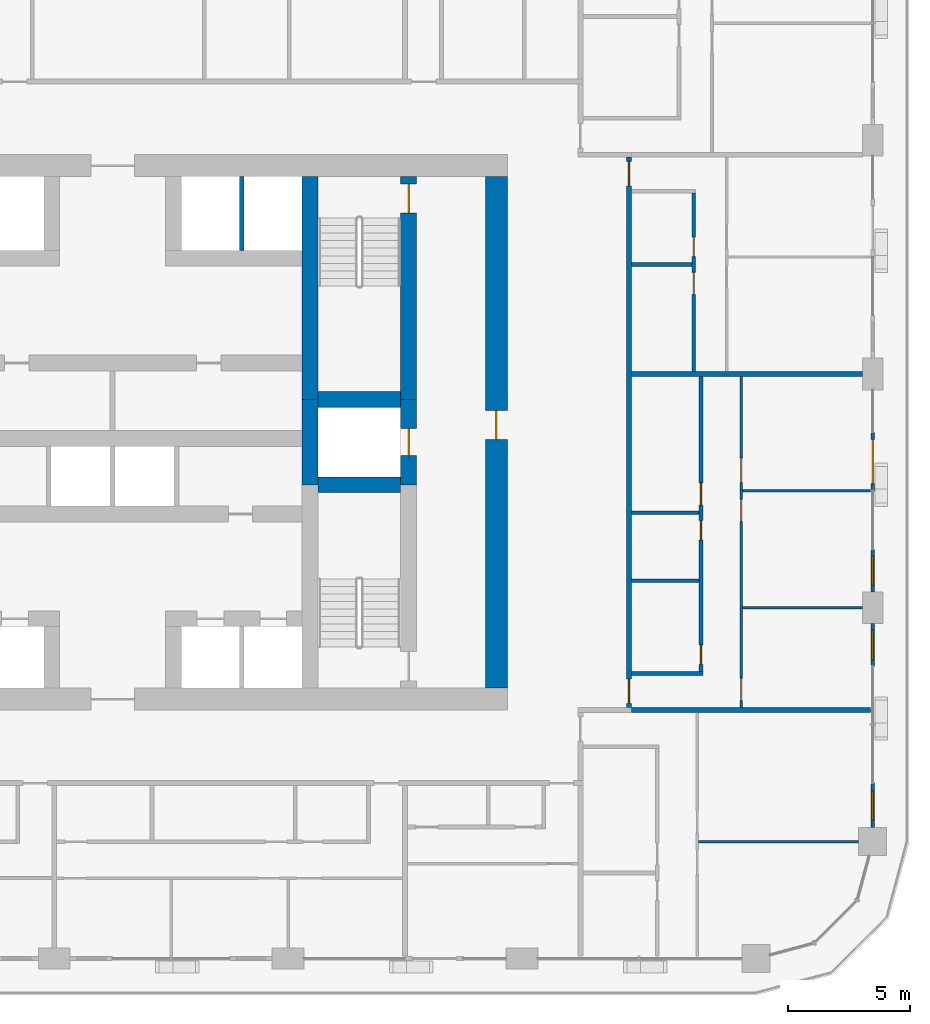
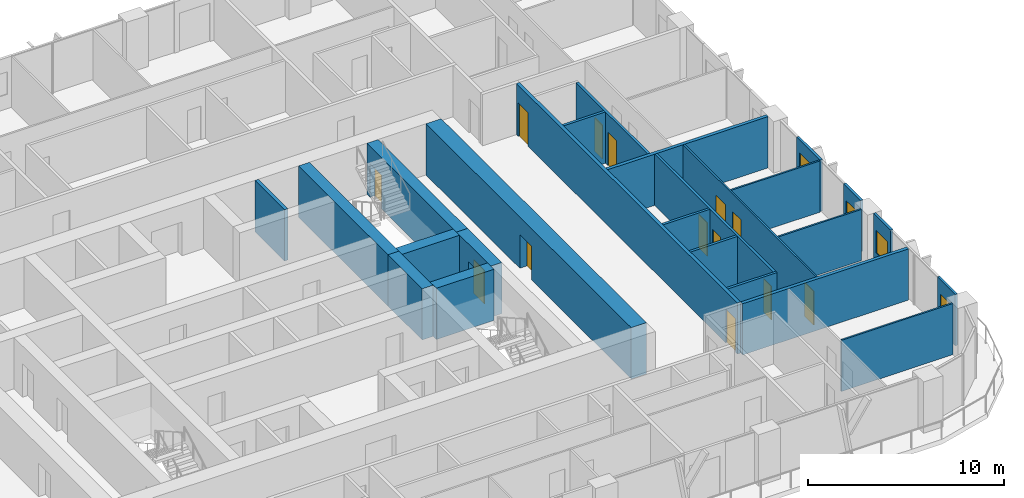
# One storey, part 12 of 21: 25 walls, 14 doors, 3 windows, 17 openings.
"""IFC4 building model written with IfcOpenShell, lengths in metres."""

import ifcopenshell
import ifcopenshell.guid

model = None  # the IFC model being written
_history = None  # IfcOwnerHistory: only IFC2X3 demands one
_inside = {}  # id of a spatial element -> (the spatial element, [elements in it])
_under = {}  # id of a project, library or spatial element -> (it, [spatial elements below it])
_declared = {}  # id of a project -> (the project, [libraries it declares])
_typed = {}  # id of a type object -> (the type object, [elements of that type])
_made_of = {}  # id of a material, layer set ... -> (it, [elements and type objects made of it])


def new_model(schema):
    """Start an empty IFC model of exactly this schema.

    Asked for "IFC4X3", IfcOpenShell would pick the latest addendum, in which some entities
    have other attributes; the version numbers below select the first issue.
    IFC2X3 requires an IfcOwnerHistory on every rooted entity: one is made here for all.
    """
    global model, _history
    if schema == "IFC4X3":
        model = ifcopenshell.file(schema_version=(4, 3, 0, 0))
    else:
        model = ifcopenshell.file(schema=schema)
    _inside.clear()
    _under.clear()
    _declared.clear()
    _typed.clear()
    _made_of.clear()
    _history = None
    if model.schema == "IFC2X3":
        org = make("IfcOrganization", Name="unknown")
        user = make(
            "IfcPersonAndOrganization",
            ThePerson=make("IfcPerson", FamilyName="unknown"),
            TheOrganization=org,
        )
        app = make(
            "IfcApplication",
            ApplicationDeveloper=org,
            Version="unknown",
            ApplicationFullName="unknown",
            ApplicationIdentifier="unknown",
        )
        _history = make(
            "IfcOwnerHistory",
            OwningUser=user,
            OwningApplication=app,
            ChangeAction="ADDED",
            CreationDate=0,
        )
    return model


def make(cls, **values):
    """One entity of the class cls with the attributes given. An attribute that is None is left unset."""
    return model.create_entity(
        cls, **{name: value for name, value in values.items() if value is not None}
    )


def rooted(cls, **values):
    """An entity with a GlobalId (a new one), such as an element, a storey or a relation."""
    return make(cls, GlobalId=ifcopenshell.guid.new(), OwnerHistory=_history, **values)


def si_unit(unit_type, name, prefix=None):
    """IfcSIUnit, for example si_unit("LENGTHUNIT", "METRE", prefix="MILLI")."""
    return make("IfcSIUnit", UnitType=unit_type, Prefix=prefix, Name=name)


def assignment(units):
    """IfcUnitAssignment: the units of a project."""
    return None if units is None else make("IfcUnitAssignment", Units=units)


def point(xyz):
    """IfcCartesianPoint."""
    return None if xyz is None else make("IfcCartesianPoint", Coordinates=xyz)


def direction(xyz):
    """IfcDirection."""
    return None if xyz is None else make("IfcDirection", DirectionRatios=xyz)


def frame(location, z_axis=None, x_axis=None):
    """IfcAxis2Placement3D, a coordinate frame: its origin and axes. An axis left out is left unset."""
    return make(
        "IfcAxis2Placement3D",
        Location=point(location),
        Axis=direction(z_axis),
        RefDirection=direction(x_axis),
    )


def frame_2d(location, x_axis=None):
    """IfcAxis2Placement2D, a coordinate frame in the plane: its origin and x axis."""
    return make(
        "IfcAxis2Placement2D", Location=point(location), RefDirection=direction(x_axis)
    )


def origin():
    """The frame at (0, 0, 0) with its axes left unset."""
    return frame((0.0, 0.0, 0.0))


def place(relative_to, where):
    """IfcLocalPlacement: puts the frame where relative to a parent placement (None: the world)."""
    return make(
        "IfcLocalPlacement", PlacementRelTo=relative_to, RelativePlacement=where
    )


def context(
    kind, dimensions, precision=None, world=None, true_north=None, identifier=None
):
    """IfcGeometricRepresentationContext, for example the 3D "Model" context."""
    return make(
        "IfcGeometricRepresentationContext",
        ContextIdentifier=identifier,
        ContextType=kind,
        CoordinateSpaceDimension=dimensions,
        Precision=precision,
        WorldCoordinateSystem=world,
        TrueNorth=true_north,
    )


def subcontext(parent, identifier, kind, view, scale=None):
    """IfcGeometricRepresentationSubContext, for example "Body" below "Model"."""
    return make(
        "IfcGeometricRepresentationSubContext",
        ContextIdentifier=identifier,
        ContextType=kind,
        ParentContext=parent,
        TargetScale=scale,
        TargetView=view,
    )


def project(units=None, contexts=None):
    """IfcProject with its units and contexts."""
    return rooted(
        "IfcProject",
        Name="project",
        RepresentationContexts=contexts,
        UnitsInContext=assignment(units),
    )


def spatial(cls, under=None, at=None, **own):
    """A site, building, storey or space (cls), placed at a placement, below another one or the project."""
    s = rooted(cls, ObjectPlacement=at, **own)
    if under is not None:
        _under.setdefault(under.id(), (under, []))[1].append(s)
    return s


def profile(cls, at=None, kind="AREA", **sizes):
    """A parametric profile (cls). Its sizes go by their IFC names, for example OverallWidth=200.0."""
    return make(cls, ProfileType=kind, Position=at, **sizes)


def rectangle(**sizes):
    """IfcRectangleProfileDef."""
    return profile("IfcRectangleProfileDef", **sizes)


def extrude(swept, where, along, depth):
    """IfcExtrudedAreaSolid: the profile swept, set in the frame where, extruded along a direction by depth."""
    return make(
        "IfcExtrudedAreaSolid",
        SweptArea=swept,
        Position=where,
        ExtrudedDirection=direction(along),
        Depth=depth,
    )


def shape(context_of_items, identifier, shape_type, items):
    """IfcShapeRepresentation: the items that make up one representation, for example the "Body"."""
    return make(
        "IfcShapeRepresentation",
        ContextOfItems=context_of_items,
        RepresentationIdentifier=identifier,
        RepresentationType=shape_type,
        Items=items,
    )


def material(Name=None, Category=None):
    """IfcMaterial."""
    return make("IfcMaterial", Name=Name, Category=Category)


def layer(
    of_material, thickness, ventilated=None, Name=None, Category=None, Priority=None
):
    """IfcMaterialLayer: one layer of a wall or slab, of a material (None: an air gap)."""
    return make(
        "IfcMaterialLayer",
        Material=of_material,
        LayerThickness=thickness,
        IsVentilated=ventilated,
        Name=Name,
        Category=Category,
        Priority=Priority,
    )


def layer_set(layers, Name=None):
    """IfcMaterialLayerSet."""
    return make("IfcMaterialLayerSet", MaterialLayers=layers, LayerSetName=Name)


def made_of(thing, what):
    """Note that an element or type object is made of a material, layer set ...; save() writes the relation."""
    if what is not None:
        _made_of.setdefault(what.id(), (what, []))[1].append(thing)
    return thing


def type_object(cls, material=None, **own):
    """A type object (cls), such as IfcWallType, which elements share."""
    return made_of(rooted(cls, **own), material)


def element(
    cls,
    number,
    at=None,
    inside=None,
    cuts=None,
    type_object=None,
    material=None,
    context=None,
    identifier="Body",
    shape_type=None,
    held_by="IfcProductDefinitionShape",
    body=None,
    shapes=None,
    **own,
):
    """One element of the class cls, such as IfcWall. Its Tag is "e" and its number.

    at: its placement. inside: the storey or other place that contains it. cuts: it is an
    opening in that element (IfcRelVoidsElement). A single representation is given by context,
    identifier, shape_type and body (its items); several are given by shapes. held_by: the class
    of the entity that holds the representations. save() writes the other relations.
    """
    e = rooted(cls, Tag="e%d" % number, ObjectPlacement=at, **own)
    if body is not None:
        shapes = [shape(context, identifier, shape_type, body)]
    if shapes is not None:
        e.Representation = make(held_by, Representations=shapes)
    if inside is not None:
        _inside.setdefault(inside.id(), (inside, []))[1].append(e)
    if cuts is not None:
        rooted(
            "IfcRelVoidsElement", RelatingBuildingElement=cuts, RelatedOpeningElement=e
        )
    if type_object is not None:
        _typed.setdefault(type_object.id(), (type_object, []))[1].append(e)
    return made_of(e, material)


def fill(opening, filler):
    """IfcRelFillsElement: the door or window that sits in an opening."""
    return rooted(
        "IfcRelFillsElement",
        RelatingOpeningElement=opening,
        RelatedBuildingElement=filler,
    )


def aggregate(whole, parts):
    """IfcRelAggregates: a whole, such as a stair, and the parts it consists of."""
    return rooted("IfcRelAggregates", RelatingObject=whole, RelatedObjects=parts)


def save(model, path):
    """Write the relations noted so far, then the file.

    IfcRelAggregates (storeys below a building ...), IfcRelContainedInSpatialStructure (elements
    in a storey), IfcRelDefinesByType, IfcRelAssociatesMaterial and IfcRelDeclares: one each for
    every whole, place, type object, material and project.
    """
    for whole, parts in _under.values():
        aggregate(whole, parts)
    for where, things in _inside.values():
        rooted(
            "IfcRelContainedInSpatialStructure",
            RelatedElements=things,
            RelatingStructure=where,
        )
    for kind, things in _typed.values():
        rooted("IfcRelDefinesByType", RelatedObjects=things, RelatingType=kind)
    for what, things in _made_of.values():
        rooted("IfcRelAssociatesMaterial", RelatedObjects=things, RelatingMaterial=what)
    for by, libraries in _declared.values():
        rooted("IfcRelDeclares", RelatingContext=by, RelatedDefinitions=libraries)
    model.write(path)


model = new_model("IFC4")

# Units and contexts
model_context = context("Model", 3, precision=1e-05, world=origin(), true_north=direction((0.0, 1.0)))
body_context = subcontext(model_context, "Body", "Model", "MODEL_VIEW")
ifc_project = project(units=[si_unit("LENGTHUNIT", "METRE"), si_unit("AREAUNIT", "SQUARE_METRE"), si_unit("VOLUMEUNIT", "CUBIC_METRE"), si_unit("PLANEANGLEUNIT", "RADIAN"), si_unit("MASSUNIT", "GRAM", prefix="KILO")], contexts=[model_context])

# Site, building, storey
site_placement = place(None, origin())
site = spatial("IfcSite", under=ifc_project, at=site_placement, CompositionType="ELEMENT")
building_placement = place(site_placement, origin())
building = spatial("IfcBuilding", under=site, at=building_placement, Name="Madar Terraces", CompositionType="ELEMENT")
storey_placement = place(building_placement, frame((0.0, 0.0, 96.199951171875)))
storey = spatial("IfcBuildingStorey", under=building, at=storey_placement, Name="L24", CompositionType="ELEMENT", Elevation=96.199951171875)

# Walls
ifc_material_1 = material(Name="Concrete C80/95", Category="concrete")
ifc_layer_1 = layer(ifc_material_1, 0.64990234375)
ifc_layer_set_1 = layer_set([ifc_layer_1], Name="Concrete C80/95 (CIW2 RC wall 650)")
wall_type_1 = type_object("IfcWallType", Name="CIW2 RC wall 650", PredefinedType="SHEAR", material=ifc_layer_set_1)
wall_1_placement = place(storey_placement, frame((39.300048828125, 24.25, 0.0), z_axis=(0.0, 0.0, 1.0), x_axis=(0.0, 1.0, 0.0)))
element("IfcWall", 1, at=wall_1_placement, inside=storey, type_object=wall_type_1, Name="CORE SHAFT WALL", PredefinedType="SHEAR", context=body_context, shape_type="SweptSolid", body=[
    extrude(rectangle(XDim=3.5, YDim=0.64990234375, at=frame_2d((1.75, 0.0))), origin(), (0.0, 0.0, 1.0), 3.199951171875),
])
wall_2_placement = place(storey_placement, frame((39.300048828125, 27.75, 0.0), z_axis=(0.0, 0.0, 1.0), x_axis=(0.0, 1.0, 0.0)))
element("IfcWall", 2, at=wall_2_placement, inside=storey, type_object=wall_type_1, Name="CORE SHAFT WALL", PredefinedType="SHEAR", context=body_context, shape_type="SweptSolid", body=[
    extrude(rectangle(XDim=9.14990234375, YDim=0.64990234375, at=frame_2d((4.574951171875, 0.0))), origin(), (0.0, 0.0, 1.0), 3.199951171875),
])

# Wall, opening, door
wall_3_placement = place(storey_placement, frame((43.35009765625, 24.25, 0.0), z_axis=(0.0, 0.0, 1.0), x_axis=(0.0, 1.0, 0.0)))
wall_3 = element("IfcWall", 3, at=wall_3_placement, inside=storey, type_object=wall_type_1, Name="CORE SHAFT WALL", PredefinedType="SHEAR", context=body_context, shape_type="SweptSolid", body=[
    extrude(rectangle(XDim=3.5, YDim=0.64990234375, at=frame_2d((1.75, 0.0))), origin(), (0.0, 0.0, 1.0), 3.199951171875),
])
opening_1_placement = place(wall_3_placement, frame((1.199951171875, 0.0, 0.0)))
opening_1 = element("IfcOpeningElement", 4, at=opening_1_placement, cuts=wall_3, Name="Opening LD", PredefinedType="OPENING", context=body_context, shape_type="SweptSolid", body=[
    extrude(rectangle(XDim=1.10009765625, YDim=2.10009765625, at=frame_2d((0.550048828125, 1.050048828125))), frame((0.0, 0.3349609375, 0.0), z_axis=(0.0, -1.0, 0.0), x_axis=(1.0, 0.0, 0.0)), (0.0, 0.0, 1.0), 0.669921875),
])
ifc_material_2 = material(Name="Stainless steel panel", Category="steel")
door_type_1 = type_object("IfcDoorType", Name="Lift landing door 1100 x 2100", OperationType="DOUBLE_DOOR_SLIDING", PredefinedType="DOOR", material=ifc_material_2)
door_1_placement = place(opening_1_placement, origin())
door_1 = element("IfcDoor", 5, at=door_1_placement, inside=storey, type_object=door_type_1, Name="LIFT LANDING DOOR", OperationType="DOUBLE_DOOR_SLIDING", OverallHeight=2.10009765625, OverallWidth=1.10009765625, PredefinedType="DOOR", context=body_context, shape_type="SweptSolid", body=[
    extrude(rectangle(XDim=1.10009765625, YDim=2.10009765625, at=frame_2d((0.550048828125, 1.050048828125))), frame((0.0, 0.02490234375, 0.0), z_axis=(0.0, -1.0, 0.0), x_axis=(1.0, 0.0, 0.0)), (0.0, 0.0, 1.0), 0.050048828125),
])
fill(opening_1, door_1)

wall_4_placement = place(storey_placement, frame((43.35009765625, 27.75, 0.0), z_axis=(0.0, 0.0, 1.0), x_axis=(0.0, 1.0, 0.0)))
wall_4 = element("IfcWall", 6, at=wall_4_placement, inside=storey, type_object=wall_type_1, Name="CORE SHAFT WALL", PredefinedType="SHEAR", context=body_context, shape_type="SweptSolid", body=[
    extrude(rectangle(XDim=9.14990234375, YDim=0.64990234375, at=frame_2d((4.574951171875, 0.0))), origin(), (0.0, 0.0, 1.0), 3.199951171875),
])
opening_2_placement = place(wall_4_placement, frame((7.64990234375, 0.0, 0.0)))
opening_2 = element("IfcOpeningElement", 7, at=opening_2_placement, cuts=wall_4, Name="Opening SD1", PredefinedType="OPENING", context=body_context, shape_type="SweptSolid", body=[
    extrude(rectangle(XDim=1.199951171875, YDim=2.10009765625, at=frame_2d((0.60009765625, 1.050048828125))), frame((0.0, 0.3349609375, 0.0), z_axis=(0.0, -1.0, 0.0), x_axis=(1.0, 0.0, 0.0)), (0.0, 0.0, 1.0), 0.669921875),
])
ifc_material_3 = material(Name="Steel door leaf", Category="steel")
door_type_2 = type_object("IfcDoorType", Name="Stair door 1200 x 2100", OperationType="NOTDEFINED", PredefinedType="DOOR", material=ifc_material_3)
door_2_placement = place(opening_2_placement, origin())
door_2 = element("IfcDoor", 8, at=door_2_placement, inside=storey, type_object=door_type_2, Name="STAIR DOOR", OperationType="SINGLE_SWING_RIGHT", OverallHeight=2.10009765625, OverallWidth=1.199951171875, PredefinedType="DOOR", context=body_context, shape_type="SweptSolid", body=[
    extrude(rectangle(XDim=1.199951171875, YDim=2.10009765625, at=frame_2d((0.60009765625, 1.050048828125))), frame((0.0, 0.02490234375, 0.0), z_axis=(0.0, -1.0, 0.0), x_axis=(1.0, 0.0, 0.0)), (0.0, 0.0, 1.0), 0.050048828125),
])
fill(opening_2, door_2)

# Walls
for number, where, z_axis, x_axis, name in (
    (9, (39.625, 24.25, 0.0), (0.0, 0.0, 1.0), (1.0, 0.0, 0.0), "CORE SHAFT WALL"),
    (10, (39.625, 27.75, 0.0), (0.0, 0.0, 1.0), (1.0, 0.0, 0.0), "CORE SHAFT WALL"),
):
    element("IfcWall", number, at=place(storey_placement, frame(where, z_axis=z_axis, x_axis=x_axis)), inside=storey, type_object=wall_type_1, Name=name, PredefinedType="SHEAR", context=body_context, shape_type="SweptSolid", body=[
        extrude(rectangle(XDim=3.39990234375, YDim=0.64990234375, at=frame_2d((1.699951171875, 0.0))), origin(), (0.0, 0.0, 1.0), 3.199951171875),
    ])

# Wall, opening, door
ifc_material_4 = material(Name="Concrete C80/95", Category="concrete")
ifc_layer_2 = layer(ifc_material_4, 0.89990234375)
ifc_layer_set_2 = layer_set([ifc_layer_2], Name="Concrete C80/95 (CRW2 RC wall 900)")
wall_type_2 = type_object("IfcWallType", Name="CRW2 RC wall 900", PredefinedType="SHEAR", material=ifc_layer_set_2)
wall_5_placement = place(storey_placement, frame((46.949951171875, 15.89990234375, 0.0), z_axis=(0.0, 0.0, 1.0), x_axis=(0.0, 1.0, 0.0)))
wall_5 = element("IfcWall", 11, at=wall_5_placement, inside=storey, type_object=wall_type_2, Name="CORE OUTER WALL", PredefinedType="SHEAR", context=body_context, shape_type="SweptSolid", body=[
    extrude(rectangle(XDim=21.0, YDim=0.89990234375, at=frame_2d((10.5, 0.0))), origin(), (0.0, 0.0, 1.0), 3.199951171875),
])
opening_3_placement = place(wall_5_placement, frame((10.199951171875, 0.0, 0.0)))
opening_3 = element("IfcOpeningElement", 12, at=opening_3_placement, cuts=wall_5, Name="Opening SD1", PredefinedType="OPENING", context=body_context, shape_type="SweptSolid", body=[
    extrude(rectangle(XDim=1.199951171875, YDim=2.10009765625, at=frame_2d((0.60009765625, 1.050048828125))), frame((0.0, 0.4599609375, 0.0), z_axis=(0.0, -1.0, 0.0), x_axis=(1.0, 0.0, 0.0)), (0.0, 0.0, 1.0), 0.919921875),
])
door_3_placement = place(opening_3_placement, origin())
door_3 = element("IfcDoor", 13, at=door_3_placement, inside=storey, type_object=door_type_2, Name="STAIR DOOR", OperationType="SINGLE_SWING_RIGHT", OverallHeight=2.10009765625, OverallWidth=1.199951171875, PredefinedType="DOOR", context=body_context, shape_type="SweptSolid", body=[
    extrude(rectangle(XDim=1.199951171875, YDim=2.10009765625, at=frame_2d((0.60009765625, 1.050048828125))), frame((0.0, 0.02490234375, 0.0), z_axis=(0.0, -1.0, 0.0), x_axis=(1.0, 0.0, 0.0)), (0.0, 0.0, 1.0), 0.050048828125),
])
fill(opening_3, door_3)

# Wall
ifc_material_5 = material(Name="Concrete C40/50", Category="concrete")
ifc_layer_3 = layer(ifc_material_5, 0.199951171875)
ifc_layer_set_3 = layer_set([ifc_layer_3], Name="Core shaft dividing wall 200 C40/50")
wall_type_3 = type_object("IfcWallType", Name="Core shaft dividing wall 200 C40/50", PredefinedType="SOLIDWALL", material=ifc_layer_set_3)
wall_6_placement = place(storey_placement, frame((36.5, 33.875, 0.0), z_axis=(0.0, 0.0, 1.0), x_axis=(0.0, 1.0, 0.0)))
element("IfcWall", 14, at=wall_6_placement, inside=storey, type_object=wall_type_3, Name="SHAFT DIVIDING WALL", PredefinedType="SOLIDWALL", context=body_context, shape_type="SweptSolid", body=[
    extrude(rectangle(XDim=3.02490234375, YDim=0.199951171875, at=frame_2d((1.512451171875, 0.0))), origin(), (0.0, 0.0, 1.0), 3.199951171875),
])

# Wall, opening, window
ifc_material_6 = material(Name="Aluminium composite panel, black, over insulated backing", Category="aluminium")
ifc_layer_4 = layer(ifc_material_6, 0.14990234375)
ifc_layer_set_4 = layer_set([ifc_layer_4], Name="Facade bay panel 150")
wall_type_4 = type_object("IfcWallType", Name="Facade bay panel 150", PredefinedType="SOLIDWALL", material=ifc_layer_set_4)
wall_7_placement = place(storey_placement, frame((62.39990234375, 10.175048828125, 0.0), z_axis=(0.0, 0.0, 1.0), x_axis=(0.0, 1.0, 0.0)))
wall_7 = element("IfcWall", 15, at=wall_7_placement, inside=storey, type_object=wall_type_4, Name="Facade bay panel", PredefinedType="SOLIDWALL", context=body_context, shape_type="SweptSolid", body=[
    extrude(rectangle(XDim=1.824951171875, YDim=0.14990234375, at=frame_2d((0.91259765625, 0.0))), origin(), (0.0, 0.0, 1.0), 3.199951171875),
])
opening_4_placement = place(wall_7_placement, frame((0.3125, 0.0, 0.89990234375)))
opening_4 = element("IfcOpeningElement", 16, at=opening_4_placement, cuts=wall_7, Name="Opening W1", PredefinedType="OPENING", context=body_context, shape_type="SweptSolid", body=[
    extrude(rectangle(XDim=1.199951171875, YDim=1.39990234375, at=frame_2d((0.60009765625, 0.699951171875))), frame((0.0, 0.0849609375, 0.0), z_axis=(0.0, -1.0, 0.0), x_axis=(1.0, 0.0, 0.0)), (0.0, 0.0, 1.0), 0.169921875),
])
ifc_material_7 = material(Name="Glass, clear, with black aluminium frame", Category="aluminium")
window_type = type_object("IfcWindowType", Name="Vent window 1200 x 1400", PartitioningType="SINGLE_PANEL", PredefinedType="WINDOW", material=ifc_material_7)
window_1_placement = place(opening_4_placement, origin())
window_1 = element("IfcWindow", 17, at=window_1_placement, inside=storey, type_object=window_type, Name="Operable vent window", OverallHeight=1.39990234375, OverallWidth=1.199951171875, PartitioningType="SINGLE_PANEL", PredefinedType="WINDOW", context=body_context, shape_type="SweptSolid", body=[
    extrude(rectangle(XDim=1.199951171875, YDim=1.39990234375, at=frame_2d((0.60009765625, 0.699951171875))), frame((0.0, 0.030029296875, 0.0), z_axis=(0.0, -1.0, 0.0), x_axis=(1.0, 0.0, 0.0)), (0.0, 0.0, 1.0), 0.06005859375),
])
fill(opening_4, window_1)

wall_8_placement = place(storey_placement, frame((62.39990234375, 16.800048828125, 0.0), z_axis=(0.0, 0.0, 1.0), x_axis=(0.0, 1.0, 0.0)))
wall_8 = element("IfcWall", 18, at=wall_8_placement, inside=storey, type_object=wall_type_4, Name="Facade bay panel", PredefinedType="SOLIDWALL", context=body_context, shape_type="SweptSolid", body=[
    extrude(rectangle(XDim=1.75, YDim=0.14990234375, at=frame_2d((0.875, 0.0))), origin(), (0.0, 0.0, 1.0), 3.199951171875),
])
opening_5_placement = place(wall_8_placement, frame((0.27490234375, 0.0, 0.89990234375)))
opening_5 = element("IfcOpeningElement", 19, at=opening_5_placement, cuts=wall_8, Name="Opening W1", PredefinedType="OPENING", context=body_context, shape_type="SweptSolid", body=[
    extrude(rectangle(XDim=1.199951171875, YDim=1.39990234375, at=frame_2d((0.60009765625, 0.699951171875))), frame((0.0, 0.0849609375, 0.0), z_axis=(0.0, -1.0, 0.0), x_axis=(1.0, 0.0, 0.0)), (0.0, 0.0, 1.0), 0.169921875),
])
window_2_placement = place(opening_5_placement, origin())
window_2 = element("IfcWindow", 20, at=window_2_placement, inside=storey, type_object=window_type, Name="Operable vent window", OverallHeight=1.39990234375, OverallWidth=1.199951171875, PartitioningType="SINGLE_PANEL", PredefinedType="WINDOW", context=body_context, shape_type="SweptSolid", body=[
    extrude(rectangle(XDim=1.199951171875, YDim=1.39990234375, at=frame_2d((0.60009765625, 0.699951171875))), frame((0.0, 0.030029296875, 0.0), z_axis=(0.0, -1.0, 0.0), x_axis=(1.0, 0.0, 0.0)), (0.0, 0.0, 1.0), 0.06005859375),
])
fill(opening_5, window_2)

wall_9_placement = place(storey_placement, frame((62.39990234375, 19.85009765625, 0.0), z_axis=(0.0, 0.0, 1.0), x_axis=(0.0, 1.0, 0.0)))
wall_9 = element("IfcWall", 21, at=wall_9_placement, inside=storey, type_object=wall_type_4, Name="Facade bay panel", PredefinedType="SOLIDWALL", context=body_context, shape_type="SweptSolid", body=[
    extrude(rectangle(XDim=1.75, YDim=0.14990234375, at=frame_2d((0.875, 0.0))), origin(), (0.0, 0.0, 1.0), 3.199951171875),
])
opening_6_placement = place(wall_9_placement, frame((0.27490234375, 0.0, 0.89990234375)))
opening_6 = element("IfcOpeningElement", 22, at=opening_6_placement, cuts=wall_9, Name="Opening W1", PredefinedType="OPENING", context=body_context, shape_type="SweptSolid", body=[
    extrude(rectangle(XDim=1.199951171875, YDim=1.39990234375, at=frame_2d((0.60009765625, 0.699951171875))), frame((0.0, 0.0849609375, 0.0), z_axis=(0.0, -1.0, 0.0), x_axis=(1.0, 0.0, 0.0)), (0.0, 0.0, 1.0), 0.169921875),
])
window_3_placement = place(opening_6_placement, origin())
window_3 = element("IfcWindow", 23, at=window_3_placement, inside=storey, type_object=window_type, Name="Operable vent window", OverallHeight=1.39990234375, OverallWidth=1.199951171875, PartitioningType="SINGLE_PANEL", PredefinedType="WINDOW", context=body_context, shape_type="SweptSolid", body=[
    extrude(rectangle(XDim=1.199951171875, YDim=1.39990234375, at=frame_2d((0.60009765625, 0.699951171875))), frame((0.0, 0.030029296875, 0.0), z_axis=(0.0, -1.0, 0.0), x_axis=(1.0, 0.0, 0.0)), (0.0, 0.0, 1.0), 0.06005859375),
])
fill(opening_6, window_3)

# Wall, opening, door
wall_10_placement = place(storey_placement, frame((62.39990234375, 24.0, 0.0), z_axis=(0.0, 0.0, 1.0), x_axis=(0.0, 1.0, 0.0)))
wall_10 = element("IfcWall", 24, at=wall_10_placement, inside=storey, type_object=wall_type_4, Name="Facade bay panel", PredefinedType="SOLIDWALL", context=body_context, shape_type="SweptSolid", body=[
    extrude(rectangle(XDim=2.39990234375, YDim=0.14990234375, at=frame_2d((1.199951171875, 0.0))), origin(), (0.0, 0.0, 1.0), 3.199951171875),
])
opening_7_placement = place(wall_10_placement, frame((0.300048828125, 0.0, 0.0)))
opening_7 = element("IfcOpeningElement", 25, at=opening_7_placement, cuts=wall_10, Name="Opening ED1", PredefinedType="OPENING", context=body_context, shape_type="SweptSolid", body=[
    extrude(rectangle(XDim=1.800048828125, YDim=2.39990234375, at=frame_2d((0.89990234375, 1.199951171875))), frame((0.0, 0.0849609375, 0.0), z_axis=(0.0, -1.0, 0.0), x_axis=(1.0, 0.0, 0.0)), (0.0, 0.0, 1.0), 0.169921875),
])
ifc_material_8 = material(Name="Glass, clear, with black aluminium frame", Category="aluminium")
door_type_3 = type_object("IfcDoorType", Name="Balcony and terrace sliding door 1800 x 2400", OperationType="SLIDING_TO_LEFT", PredefinedType="DOOR", material=ifc_material_8)
door_4_placement = place(opening_7_placement, origin())
door_4 = element("IfcDoor", 26, at=door_4_placement, inside=storey, type_object=door_type_3, Name="Balcony door", OperationType="SLIDING_TO_RIGHT", OverallHeight=2.39990234375, OverallWidth=1.800048828125, PredefinedType="DOOR", context=body_context, shape_type="SweptSolid", body=[
    extrude(rectangle(XDim=1.800048828125, YDim=2.39990234375, at=frame_2d((0.89990234375, 1.199951171875))), frame((0.0, 0.02490234375, 0.0), z_axis=(0.0, -1.0, 0.0), x_axis=(1.0, 0.0, 0.0)), (0.0, 0.0, 1.0), 0.050048828125),
])
fill(opening_7, door_4)

# Walls
ifc_material_9 = material(Name="Gypsum board on steel studs", Category="steel")
ifc_layer_5 = layer(ifc_material_9, 0.10009765625)
ifc_layer_set_5 = layer_set([ifc_layer_5], Name="Flat partition 100")
wall_type_5 = type_object("IfcWallType", Name="Flat partition 100", PredefinedType="PARTITIONING", material=ifc_layer_set_5)
wall_11_placement = place(storey_placement, frame((55.25, 9.60009765625, 0.0), z_axis=(0.0, 0.0, 1.0), x_axis=(1.0, 0.0, 0.0)))
element("IfcWall", 27, at=wall_11_placement, inside=storey, type_object=wall_type_5, Name="Flat partition 100", PredefinedType="PARTITIONING", context=body_context, shape_type="SweptSolid", body=[
    extrude(rectangle(XDim=6.574951171875, YDim=0.10009765625, at=frame_2d((3.28759765625, 0.0))), origin(), (0.0, 0.0, 1.0), 3.199951171875),
])
wall_12_placement = place(storey_placement, frame((57.050048828125, 19.199951171875, 0.0), z_axis=(0.0, 0.0, 1.0), x_axis=(1.0, 0.0, 0.0)))
element("IfcWall", 28, at=wall_12_placement, inside=storey, type_object=wall_type_5, Name="Flat partition 100", PredefinedType="PARTITIONING", context=body_context, shape_type="SweptSolid", body=[
    extrude(rectangle(XDim=4.925048828125, YDim=0.10009765625, at=frame_2d((2.46240234375, 0.0))), origin(), (0.0, 0.0, 1.0), 3.199951171875),
])
wall_13_placement = place(storey_placement, frame((57.050048828125, 24.0, 0.0), z_axis=(0.0, 0.0, 1.0), x_axis=(1.0, 0.0, 0.0)))
element("IfcWall", 29, at=wall_13_placement, inside=storey, type_object=wall_type_5, Name="Flat partition 100", PredefinedType="PARTITIONING", context=body_context, shape_type="SweptSolid", body=[
    extrude(rectangle(XDim=5.25, YDim=0.10009765625, at=frame_2d((2.625, 0.0))), origin(), (0.0, 0.0, 1.0), 3.199951171875),
])

# Wall, openings, doors
wall_14_placement = place(storey_placement, frame((57.0, 28.699951171875, 0.0), z_axis=(0.0, 0.0, 1.0), x_axis=(0.0, -1.0, 0.0)))
wall_14 = element("IfcWall", 30, at=wall_14_placement, inside=storey, type_object=wall_type_5, Name="Flat partition 100", PredefinedType="PARTITIONING", context=body_context, shape_type="SweptSolid", body=[
    extrude(rectangle(XDim=13.599853515625, YDim=0.10009765625, at=frame_2d((6.7998046875, 0.0))), origin(), (0.0, 0.0, 1.0), 3.199951171875),
])
opening_8_placement = place(wall_14_placement, frame((12.39990234375, 0.0, 0.0)))
opening_8 = element("IfcOpeningElement", 31, at=opening_8_placement, cuts=wall_14, Name="Opening D2", PredefinedType="OPENING", context=body_context, shape_type="SweptSolid", body=[
    extrude(rectangle(XDim=0.89990234375, YDim=2.10009765625, at=frame_2d((0.449951171875, 1.050048828125))), frame((0.0, 0.06005859375, 0.0), z_axis=(0.0, -1.0, 0.0), x_axis=(1.0, 0.0, 0.0)), (0.0, 0.0, 1.0), 0.1201171875),
])
opening_9_placement = place(wall_14_placement, frame((5.050048828125, 0.0, 0.0)))
opening_9 = element("IfcOpeningElement", 32, at=opening_9_placement, cuts=wall_14, Name="Opening D2", PredefinedType="OPENING", context=body_context, shape_type="SweptSolid", body=[
    extrude(rectangle(XDim=0.89990234375, YDim=2.10009765625, at=frame_2d((0.449951171875, 1.050048828125))), frame((0.0, 0.06005859375, 0.0), z_axis=(0.0, -1.0, 0.0), x_axis=(1.0, 0.0, 0.0)), (0.0, 0.0, 1.0), 0.1201171875),
])
opening_10_placement = place(wall_14_placement, frame((3.35009765625, 0.0, 0.0)))
opening_10 = element("IfcOpeningElement", 33, at=opening_10_placement, cuts=wall_14, Name="Opening D3", PredefinedType="OPENING", context=body_context, shape_type="SweptSolid", body=[
    extrude(rectangle(XDim=1.0, YDim=2.10009765625, at=frame_2d((0.5, 1.050048828125))), frame((0.0, 0.06005859375, 0.0), z_axis=(0.0, -1.0, 0.0), x_axis=(1.0, 0.0, 0.0)), (0.0, 0.0, 1.0), 0.1201171875),
])
ifc_material_10 = material(Name="Timber door leaf", Category="wood")
door_type_4 = type_object("IfcDoorType", Name="Flat living room door 1000", OperationType="NOTDEFINED", PredefinedType="DOOR", material=ifc_material_10)
door_5_placement = place(opening_10_placement, origin())
door_5 = element("IfcDoor", 34, at=door_5_placement, inside=storey, type_object=door_type_4, Name="Flat living room door 1000", OperationType="SINGLE_SWING_RIGHT", OverallHeight=2.10009765625, OverallWidth=1.0, PredefinedType="DOOR", context=body_context, shape_type="SweptSolid", body=[
    extrude(rectangle(XDim=1.0, YDim=2.10009765625, at=frame_2d((0.5, 1.050048828125))), frame((0.0, 0.02490234375, 0.0), z_axis=(0.0, -1.0, 0.0), x_axis=(1.0, 0.0, 0.0)), (0.0, 0.0, 1.0), 0.050048828125),
])
fill(opening_10, door_5)
ifc_material_11 = material(Name="Timber door leaf", Category="wood")
door_type_5 = type_object("IfcDoorType", Name="Flat room door 900", OperationType="NOTDEFINED", PredefinedType="DOOR", material=ifc_material_11)
door_6_placement = place(opening_8_placement, origin())
door_6 = element("IfcDoor", 35, at=door_6_placement, inside=storey, type_object=door_type_5, Name="Flat room door 900", OperationType="SINGLE_SWING_RIGHT", OverallHeight=2.10009765625, OverallWidth=0.89990234375, PredefinedType="DOOR", context=body_context, shape_type="SweptSolid", body=[
    extrude(rectangle(XDim=0.89990234375, YDim=2.10009765625, at=frame_2d((0.449951171875, 1.050048828125))), frame((0.0, 0.02490234375, 0.0), z_axis=(0.0, -1.0, 0.0), x_axis=(1.0, 0.0, 0.0)), (0.0, 0.0, 1.0), 0.050048828125),
])
fill(opening_8, door_6)
door_7_placement = place(opening_9_placement, origin())
door_7 = element("IfcDoor", 36, at=door_7_placement, inside=storey, type_object=door_type_5, Name="Flat room door 900", OperationType="SINGLE_SWING_LEFT", OverallHeight=2.10009765625, OverallWidth=0.89990234375, PredefinedType="DOOR", context=body_context, shape_type="SweptSolid", body=[
    extrude(rectangle(XDim=0.89990234375, YDim=2.10009765625, at=frame_2d((0.449951171875, 1.050048828125))), frame((0.0, 0.02490234375, 0.0), z_axis=(0.0, -1.0, 0.0), x_axis=(1.0, 0.0, 0.0)), (0.0, 0.0, 1.0), 0.050048828125),
])
fill(opening_9, door_7)

ifc_material_12 = material(Name="Lightweight blockwork", Category="masonry")
ifc_layer_6 = layer(ifc_material_12, 0.199951171875)
ifc_layer_set_6 = layer_set([ifc_layer_6], Name="Flat party and entrance wall 200")
wall_type_6 = type_object("IfcWallType", Name="Flat party and entrance wall 200", PredefinedType="PARTITIONING", material=ifc_layer_set_6)
wall_15_placement = place(storey_placement, frame((52.39990234375, 37.699951171875, 0.0), z_axis=(0.0, 0.0, 1.0), x_axis=(0.0, -1.0, 0.0)))
wall_15 = element("IfcWall", 37, at=wall_15_placement, inside=storey, type_object=wall_type_6, Name="Flat party and entrance wall 200", PredefinedType="PARTITIONING", context=body_context, shape_type="SweptSolid", body=[
    extrude(rectangle(XDim=22.599853515625, YDim=0.199951171875, at=frame_2d((11.2998046875, 0.0))), origin(), (0.0, 0.0, 1.0), 3.199951171875),
])
opening_11_placement = place(wall_15_placement, frame((21.425048828125, 0.0, 0.0)))
opening_11 = element("IfcOpeningElement", 38, at=opening_11_placement, cuts=wall_15, Name="Opening D1", PredefinedType="OPENING", context=body_context, shape_type="SweptSolid", body=[
    extrude(rectangle(XDim=1.0, YDim=2.10009765625, at=frame_2d((0.5, 1.050048828125))), frame((0.0, 0.10986328125, 0.0), z_axis=(0.0, -1.0, 0.0), x_axis=(1.0, 0.0, 0.0)), (0.0, 0.0, 1.0), 0.219970703125),
])
opening_12_placement = place(wall_15_placement, frame((0.175048828125, 0.0, 0.0)))
opening_12 = element("IfcOpeningElement", 39, at=opening_12_placement, cuts=wall_15, Name="Opening D1", PredefinedType="OPENING", context=body_context, shape_type="SweptSolid", body=[
    extrude(rectangle(XDim=1.0, YDim=2.10009765625, at=frame_2d((0.5, 1.050048828125))), frame((0.0, 0.10986328125, 0.0), z_axis=(0.0, -1.0, 0.0), x_axis=(1.0, 0.0, 0.0)), (0.0, 0.0, 1.0), 0.219970703125),
])
ifc_material_13 = material(Name="Timber fire door leaf", Category="wood")
door_type_6 = type_object("IfcDoorType", Name="Flat entrance door 1000 FD30S", OperationType="NOTDEFINED", PredefinedType="DOOR", material=ifc_material_13)
door_8_placement = place(opening_11_placement, origin())
door_8 = element("IfcDoor", 40, at=door_8_placement, inside=storey, type_object=door_type_6, Name="Flat entrance door 1000 FD30S", OperationType="SINGLE_SWING_RIGHT", OverallHeight=2.10009765625, OverallWidth=1.0, PredefinedType="DOOR", context=body_context, shape_type="SweptSolid", body=[
    extrude(rectangle(XDim=1.0, YDim=2.10009765625, at=frame_2d((0.5, 1.050048828125))), frame((0.0, 0.02490234375, 0.0), z_axis=(0.0, -1.0, 0.0), x_axis=(1.0, 0.0, 0.0)), (0.0, 0.0, 1.0), 0.050048828125),
])
fill(opening_11, door_8)
door_9_placement = place(opening_12_placement, origin())
door_9 = element("IfcDoor", 41, at=door_9_placement, inside=storey, type_object=door_type_6, Name="Flat entrance door 1000 FD30S", OperationType="SINGLE_SWING_LEFT", OverallHeight=2.10009765625, OverallWidth=1.0, PredefinedType="DOOR", context=body_context, shape_type="SweptSolid", body=[
    extrude(rectangle(XDim=1.0, YDim=2.10009765625, at=frame_2d((0.5, 1.050048828125))), frame((0.0, 0.02490234375, 0.0), z_axis=(0.0, -1.0, 0.0), x_axis=(1.0, 0.0, 0.0)), (0.0, 0.0, 1.0), 0.050048828125),
])
fill(opening_12, door_9)

# Walls
wall_16_placement = place(storey_placement, frame((52.5, 15.0, 0.0), z_axis=(0.0, 0.0, 1.0), x_axis=(1.0, 0.0, 0.0)))
element("IfcWall", 42, at=wall_16_placement, inside=storey, type_object=wall_type_6, Name="Flat party and entrance wall 200", PredefinedType="PARTITIONING", context=body_context, shape_type="SweptSolid", body=[
    extrude(rectangle(XDim=9.800048828125, YDim=0.199951171875, at=frame_2d((4.89990234375, 0.0))), origin(), (0.0, 0.0, 1.0), 3.199951171875),
])
wall_17_placement = place(storey_placement, frame((52.5, 28.800048828125, 0.0), z_axis=(0.0, 0.0, 1.0), x_axis=(1.0, 0.0, 0.0)))
element("IfcWall", 43, at=wall_17_placement, inside=storey, type_object=wall_type_6, Name="Flat party and entrance wall 200", PredefinedType="PARTITIONING", context=body_context, shape_type="SweptSolid", body=[
    extrude(rectangle(XDim=9.47509765625, YDim=0.199951171875, at=frame_2d((4.737548828125, 0.0))), origin(), (0.0, 0.0, 1.0), 3.199951171875),
])
ifc_material_14 = material(Name="Lightweight blockwork", Category="masonry")
ifc_layer_7 = layer(ifc_material_14, 0.14990234375)
ifc_layer_set_7 = layer_set([ifc_layer_7], Name="Flat wet-room partition 150")
wall_type_7 = type_object("IfcWallType", Name="Flat wet-room partition 150", PredefinedType="PARTITIONING", material=ifc_layer_set_7)
for number, where, z_axis, x_axis, name in (
    (44, (52.5, 20.305908203125, 0.0), (0.0, 0.0, 1.0), (1.0, 0.0, 0.0), "Flat wet-room partition 150"),
    (45, (52.5, 23.10400390625, 0.0), (0.0, 0.0, 1.0), (1.0, 0.0, 0.0), "Flat wet-room partition 150"),
):
    element("IfcWall", number, at=place(storey_placement, frame(where, z_axis=z_axis, x_axis=x_axis)), inside=storey, type_object=wall_type_7, Name=name, PredefinedType="PARTITIONING", context=body_context, shape_type="SweptSolid", body=[
        extrude(rectangle(XDim=2.77490234375, YDim=0.14990234375, at=frame_2d((1.387451171875, 0.0))), origin(), (0.0, 0.0, 1.0), 3.199951171875),
    ])
wall_18_placement = place(storey_placement, frame((52.5, 16.5, 0.0), z_axis=(0.0, 0.0, 1.0), x_axis=(1.0, 0.0, 0.0)))
element("IfcWall", 46, at=wall_18_placement, inside=storey, type_object=wall_type_7, Name="Flat wet-room partition 150", PredefinedType="PARTITIONING", context=body_context, shape_type="SweptSolid", body=[
    extrude(rectangle(XDim=2.925048828125, YDim=0.14990234375, at=frame_2d((1.46240234375, 0.0))), origin(), (0.0, 0.0, 1.0), 3.199951171875),
])

# Wall, openings, doors
wall_19_placement = place(storey_placement, frame((55.35009765625, 16.574951171875, 0.0), z_axis=(0.0, 0.0, 1.0), x_axis=(0.0, 1.0, 0.0)))
wall_19 = element("IfcWall", 47, at=wall_19_placement, inside=storey, type_object=wall_type_7, Name="Flat wet-room partition 150", PredefinedType="PARTITIONING", context=body_context, shape_type="SweptSolid", body=[
    extrude(rectangle(XDim=12.125, YDim=0.14990234375, at=frame_2d((6.0625, 0.0))), origin(), (0.0, 0.0, 1.0), 3.199951171875),
])
opening_13_placement = place(wall_19_placement, frame((0.300048828125, 0.0, 0.0)))
opening_13 = element("IfcOpeningElement", 48, at=opening_13_placement, cuts=wall_19, Name="Opening D4", PredefinedType="OPENING", context=body_context, shape_type="SweptSolid", body=[
    extrude(rectangle(XDim=0.800048828125, YDim=2.10009765625, at=frame_2d((0.39990234375, 1.050048828125))), frame((0.0, 0.0849609375, 0.0), z_axis=(0.0, -1.0, 0.0), x_axis=(1.0, 0.0, 0.0)), (0.0, 0.0, 1.0), 0.169921875),
])
opening_14_placement = place(wall_19_placement, frame((5.40380859375, 0.0, 0.0)))
opening_14 = element("IfcOpeningElement", 49, at=opening_14_placement, cuts=wall_19, Name="Opening D4", PredefinedType="OPENING", context=body_context, shape_type="SweptSolid", body=[
    extrude(rectangle(XDim=0.800048828125, YDim=2.10009765625, at=frame_2d((0.39990234375, 1.050048828125))), frame((0.0, 0.0849609375, 0.0), z_axis=(0.0, -1.0, 0.0), x_axis=(1.0, 0.0, 0.0)), (0.0, 0.0, 1.0), 0.169921875),
])
opening_15_placement = place(wall_19_placement, frame((6.85400390625, 0.0, 0.0)))
opening_15 = element("IfcOpeningElement", 50, at=opening_15_placement, cuts=wall_19, Name="Opening D2", PredefinedType="OPENING", context=body_context, shape_type="SweptSolid", body=[
    extrude(rectangle(XDim=0.89990234375, YDim=2.10009765625, at=frame_2d((0.449951171875, 1.050048828125))), frame((0.0, 0.0849609375, 0.0), z_axis=(0.0, -1.0, 0.0), x_axis=(1.0, 0.0, 0.0)), (0.0, 0.0, 1.0), 0.169921875),
])
ifc_material_15 = material(Name="Timber door leaf", Category="wood")
door_type_7 = type_object("IfcDoorType", Name="Flat bathroom door 800", OperationType="NOTDEFINED", PredefinedType="DOOR", material=ifc_material_15)
door_10_placement = place(opening_13_placement, origin())
door_10 = element("IfcDoor", 51, at=door_10_placement, inside=storey, type_object=door_type_7, Name="Flat bathroom door 800", OperationType="SINGLE_SWING_LEFT", OverallHeight=2.10009765625, OverallWidth=0.800048828125, PredefinedType="DOOR", context=body_context, shape_type="SweptSolid", body=[
    extrude(rectangle(XDim=0.800048828125, YDim=2.10009765625, at=frame_2d((0.39990234375, 1.050048828125))), frame((0.0, 0.02490234375, 0.0), z_axis=(0.0, -1.0, 0.0), x_axis=(1.0, 0.0, 0.0)), (0.0, 0.0, 1.0), 0.050048828125),
])
fill(opening_13, door_10)
door_11_placement = place(opening_14_placement, origin())
door_11 = element("IfcDoor", 52, at=door_11_placement, inside=storey, type_object=door_type_7, Name="Flat bathroom door 800", OperationType="SINGLE_SWING_RIGHT", OverallHeight=2.10009765625, OverallWidth=0.800048828125, PredefinedType="DOOR", context=body_context, shape_type="SweptSolid", body=[
    extrude(rectangle(XDim=0.800048828125, YDim=2.10009765625, at=frame_2d((0.39990234375, 1.050048828125))), frame((0.0, 0.02490234375, 0.0), z_axis=(0.0, -1.0, 0.0), x_axis=(1.0, 0.0, 0.0)), (0.0, 0.0, 1.0), 0.050048828125),
])
fill(opening_14, door_11)
door_12_placement = place(opening_15_placement, origin())
door_12 = element("IfcDoor", 53, at=door_12_placement, inside=storey, type_object=door_type_5, Name="Flat room door 900", OperationType="SINGLE_SWING_LEFT", OverallHeight=2.10009765625, OverallWidth=0.89990234375, PredefinedType="DOOR", context=body_context, shape_type="SweptSolid", body=[
    extrude(rectangle(XDim=0.89990234375, YDim=2.10009765625, at=frame_2d((0.449951171875, 1.050048828125))), frame((0.0, 0.02490234375, 0.0), z_axis=(0.0, -1.0, 0.0), x_axis=(1.0, 0.0, 0.0)), (0.0, 0.0, 1.0), 0.050048828125),
])
fill(opening_15, door_12)

# Wall
wall_20_placement = place(storey_placement, frame((52.5, 33.294921875, 0.0), z_axis=(0.0, 0.0, 1.0), x_axis=(1.0, 0.0, 0.0)))
element("IfcWall", 54, at=wall_20_placement, inside=storey, type_object=wall_type_7, Name="Flat wet-room partition 150", PredefinedType="PARTITIONING", context=body_context, shape_type="SweptSolid", body=[
    extrude(rectangle(XDim=2.47509765625, YDim=0.14990234375, at=frame_2d((1.237548828125, 0.0))), origin(), (0.0, 0.0, 1.0), 3.199951171875),
])

# Wall, openings, doors
wall_21_placement = place(storey_placement, frame((55.050048828125, 28.89990234375, 0.0), z_axis=(0.0, 0.0, 1.0), x_axis=(0.0, 1.0, 0.0)))
wall_21 = element("IfcWall", 55, at=wall_21_placement, inside=storey, type_object=wall_type_7, Name="Flat wet-room partition 150", PredefinedType="PARTITIONING", context=body_context, shape_type="SweptSolid", body=[
    extrude(rectangle(XDim=7.3251953125, YDim=0.14990234375, at=frame_2d((3.66259765625, 0.0))), origin(), (0.0, 0.0, 1.0), 3.199951171875),
])
opening_16_placement = place(wall_21_placement, frame((4.719970703125, 0.0, 0.0)))
opening_16 = element("IfcOpeningElement", 56, at=opening_16_placement, cuts=wall_21, Name="Opening D4", PredefinedType="OPENING", context=body_context, shape_type="SweptSolid", body=[
    extrude(rectangle(XDim=0.800048828125, YDim=2.10009765625, at=frame_2d((0.39990234375, 1.050048828125))), frame((0.0, 0.0849609375, 0.0), z_axis=(0.0, -1.0, 0.0), x_axis=(1.0, 0.0, 0.0)), (0.0, 0.0, 1.0), 0.169921875),
])
opening_17_placement = place(wall_21_placement, frame((3.169921875, 0.0, 0.0)))
opening_17 = element("IfcOpeningElement", 57, at=opening_17_placement, cuts=wall_21, Name="Opening D2", PredefinedType="OPENING", context=body_context, shape_type="SweptSolid", body=[
    extrude(rectangle(XDim=0.89990234375, YDim=2.10009765625, at=frame_2d((0.449951171875, 1.050048828125))), frame((0.0, 0.0849609375, 0.0), z_axis=(0.0, -1.0, 0.0), x_axis=(1.0, 0.0, 0.0)), (0.0, 0.0, 1.0), 0.169921875),
])
door_13_placement = place(opening_16_placement, origin())
door_13 = element("IfcDoor", 58, at=door_13_placement, inside=storey, type_object=door_type_7, Name="Flat bathroom door 800", OperationType="SINGLE_SWING_LEFT", OverallHeight=2.10009765625, OverallWidth=0.800048828125, PredefinedType="DOOR", context=body_context, shape_type="SweptSolid", body=[
    extrude(rectangle(XDim=0.800048828125, YDim=2.10009765625, at=frame_2d((0.39990234375, 1.050048828125))), frame((0.0, 0.02490234375, 0.0), z_axis=(0.0, -1.0, 0.0), x_axis=(1.0, 0.0, 0.0)), (0.0, 0.0, 1.0), 0.050048828125),
])
fill(opening_16, door_13)
door_14_placement = place(opening_17_placement, origin())
door_14 = element("IfcDoor", 59, at=door_14_placement, inside=storey, type_object=door_type_5, Name="Flat room door 900", OperationType="SINGLE_SWING_RIGHT", OverallHeight=2.10009765625, OverallWidth=0.89990234375, PredefinedType="DOOR", context=body_context, shape_type="SweptSolid", body=[
    extrude(rectangle(XDim=0.89990234375, YDim=2.10009765625, at=frame_2d((0.449951171875, 1.050048828125))), frame((0.0, 0.02490234375, 0.0), z_axis=(0.0, -1.0, 0.0), x_axis=(1.0, 0.0, 0.0)), (0.0, 0.0, 1.0), 0.050048828125),
])
fill(opening_17, door_14)

save(model, "model.ifc")
